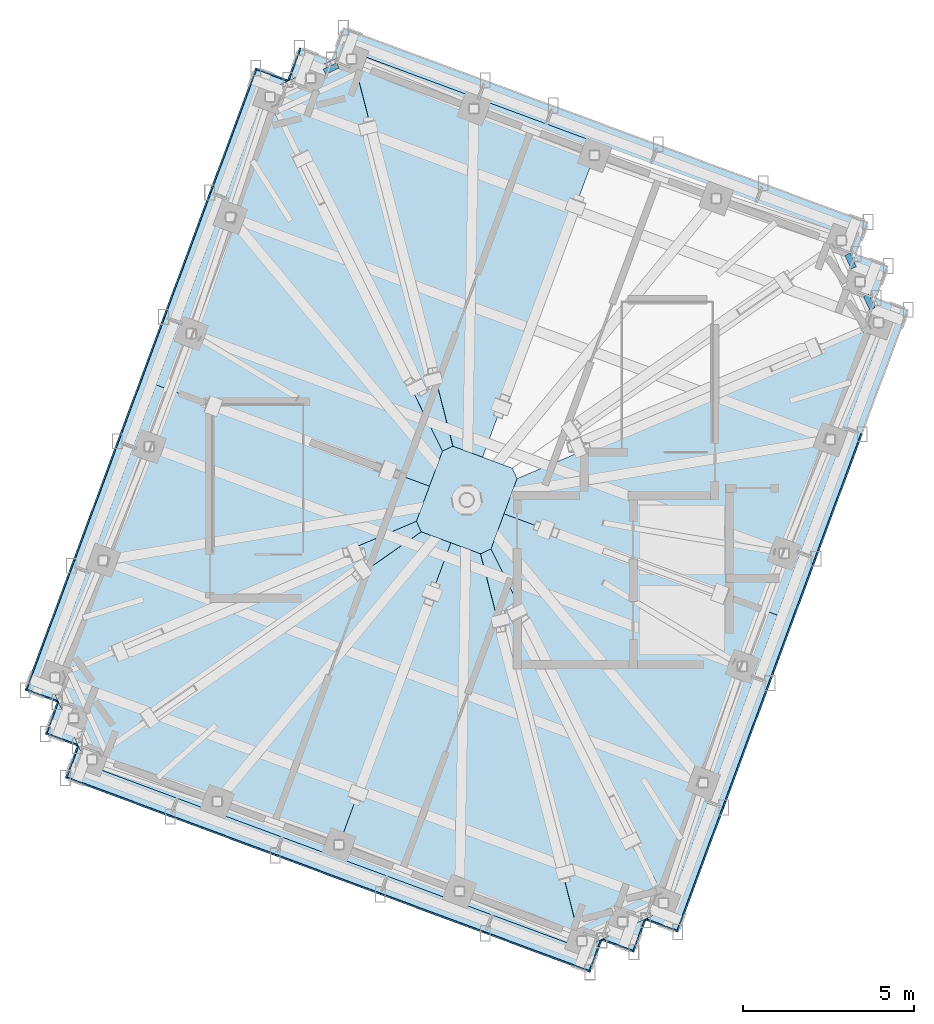
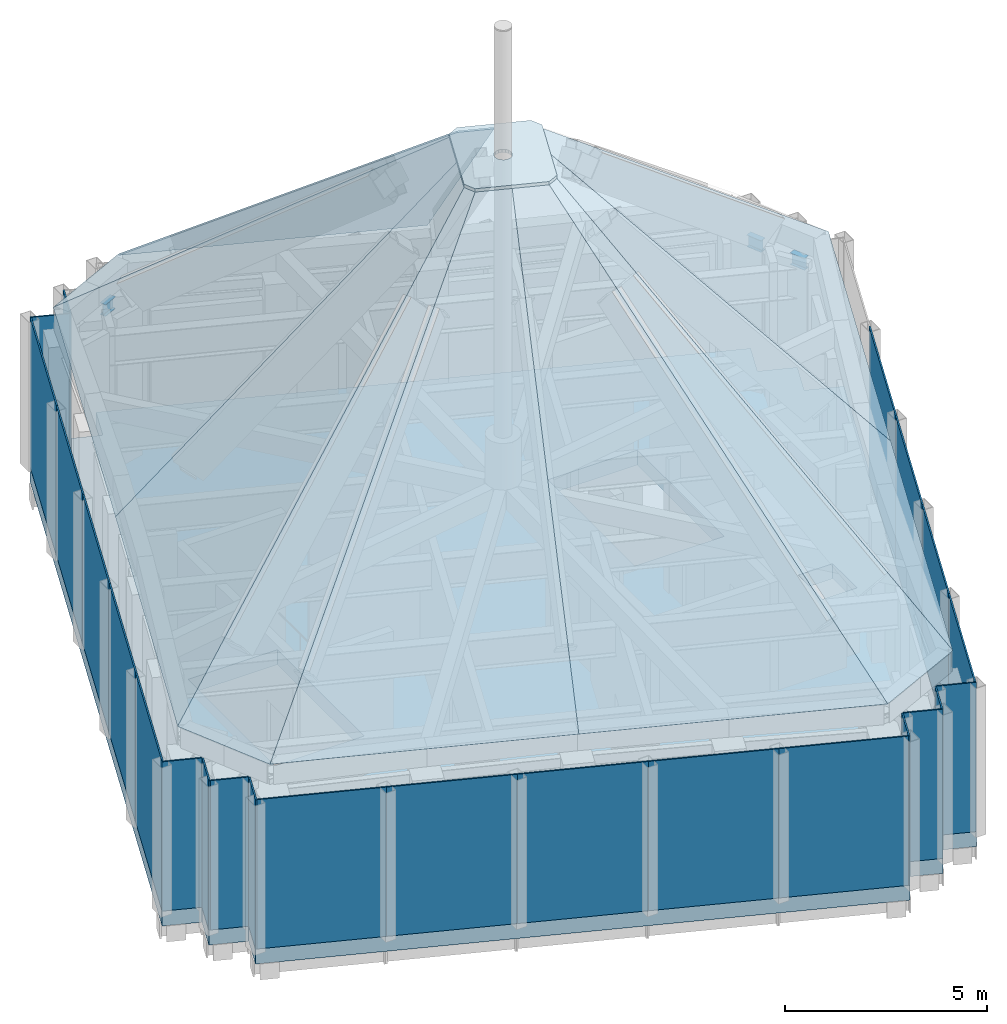
# One storey, part 5 of 14: 35 plates, 3 beams, 1 slab, 34 elements without a shape of their own.
"""IFC4 building model written with IfcOpenShell, lengths in metres."""

from ifc_helpers import new_model, si_unit, direction, frame, origin, origin_2d, place, context, subcontext, project, spatial, polyline, i_section, outline, extrude, material, layer, layer_set, material_profile, profile_set, type_object, element, aggregate, save


model = new_model("IFC4")

# Units and contexts
model_context = context("Model", 3, precision=1e-05, world=origin(), true_north=direction((0.0, 1.0)))
body_context = subcontext(model_context, "Body", "Model", "MODEL_VIEW")
ifc_project = project(units=[si_unit("LENGTHUNIT", "METRE"), si_unit("AREAUNIT", "SQUARE_METRE"), si_unit("VOLUMEUNIT", "CUBIC_METRE"), si_unit("PLANEANGLEUNIT", "RADIAN"), si_unit("MASSUNIT", "GRAM", prefix="KILO")], contexts=[model_context])

# Site, building, storey
site_placement = place(None, origin())
site = spatial("IfcSite", under=ifc_project, at=site_placement, CompositionType="ELEMENT")
building_placement = place(site_placement, origin())
building = spatial("IfcBuilding", under=site, at=building_placement, Name="Cantera Rosa Tower", CompositionType="ELEMENT")
storey_placement = place(building_placement, frame((0.0, 0.0, 374.199951171875)))
storey = spatial("IfcBuildingStorey", under=building, at=storey_placement, Name="L84", CompositionType="ELEMENT", Elevation=374.199951171875)

# Beams
ifc_material_1 = material(Name="Steel ASTM A992 (Fy 345 MPa)", Category="steel")
ifc_material_profile = material_profile(ifc_material_1, i_section(OverallWidth=0.1708984375, OverallDepth=0.35595703125, WebThickness=0.00732421875, FlangeThickness=0.01171875, FilletRadius=0.010009765625, at=origin_2d()), Name="W360X51")
ifc_profile_set = profile_set([ifc_material_profile], Name="Steel ASTM A992 (Fy 345 MPa)")
beam_type = type_object("IfcBeamType", Name="STEEL SPANDREL BEAM W360X51", PredefinedType="SPANDREL", material=ifc_profile_set)
beam_1_placement = place(storey_placement, frame((-3.7734375, 12.7373046875, 4.072021484375), z_axis=(-0.904818702201, -0.42579703633, 0.0), x_axis=(0.42579703633, -0.904818702201, 0.0)))
element("IfcBeam", 1, at=beam_1_placement, inside=storey, type_object=beam_type, Name="RB-Z6-05 L84", PredefinedType="SPANDREL", context=body_context, shape_type="SweptSolid", body=[
    extrude(i_section(OverallWidth=0.1708984375, OverallDepth=0.35595703125, WebThickness=0.00732421875, FlangeThickness=0.01171875, FilletRadius=0.010009765625, at=origin_2d()), origin(), (0.0, 0.0, 1.0), 0.4404296875),
])
beam_2_placement = place(storey_placement, frame((11.888427734375, 5.598876953125, 4.072021484375), z_axis=(-0.415851605701, 0.909432483495, 0.0), x_axis=(-0.909432483495, -0.415851605701, 0.0)))
element("IfcBeam", 2, at=beam_2_placement, inside=storey, type_object=beam_type, Name="RB-Z6-25 L84", PredefinedType="SPANDREL", context=body_context, shape_type="SweptSolid", body=[
    extrude(i_section(OverallWidth=0.1708984375, OverallDepth=0.35595703125, WebThickness=0.00732421875, FlangeThickness=0.01171875, FilletRadius=0.010009765625, at=origin_2d()), origin(), (0.0, 0.0, 1.0), 0.439697265625),
])
beam_3_placement = place(storey_placement, frame((11.3427734375, 6.800537109375, 4.072021484375), z_axis=(-0.409580989432, 0.912273759952, 0.0), x_axis=(-0.912273759952, -0.409580989432, 0.0)))
element("IfcBeam", 3, at=beam_3_placement, inside=storey, type_object=beam_type, Name="RB-Z6-26 L84", PredefinedType="SPANDREL", context=body_context, shape_type="SweptSolid", body=[
    extrude(i_section(OverallWidth=0.1708984375, OverallDepth=0.35595703125, WebThickness=0.00732421875, FlangeThickness=0.01171875, FilletRadius=0.010009765625, at=origin_2d()), origin(), (0.0, 0.0, 1.0), 0.4404296875),
])

# Plate
ifc_material_2 = material(Name="Aluminium frame with clear glass", Category="aluminium")
ifc_layer_1 = layer(ifc_material_2, 0.10009765625)
ifc_layer_set_1 = layer_set([ifc_layer_1], Name="CROWN CAP 100")
plate_type_1 = type_object("IfcPlateType", Name="CROWN CAP 100", PredefinedType="SHEET", material=ifc_layer_set_1)
plate_1_placement = place(storey_placement, frame((0.0, 0.0, 14.800048828125)))
element("IfcPlate", 4, at=plate_1_placement, inside=storey, type_object=plate_type_1, Name="CROWN CAP", PredefinedType="SHEET", context=body_context, shape_type="SweptSolid", body=[
    extrude(outline(polyline([(-1.335693359375, -0.931640625), (-0.46484375, -1.254150390625), (0.406005859375, -1.576904296875), (0.711181640625, -1.434814453125), (1.0927734375, -0.405029296875), (1.474365234375, 0.624755859375), (1.335693359375, 0.931640625), (0.46484375, 1.254150390625), (-0.406005859375, 1.576904296875), (-0.711181640625, 1.434814453125), (-1.0927734375, 0.405029296875), (-1.474365234375, -0.624755859375), (-1.335693359375, -0.931640625)]), holes=[polyline([(0.2294921875, 0.0), (0.2119140625, 0.087890625), (0.162109375, 0.162109375), (0.087890625, 0.2119140625), (0.0, 0.2294921875), (-0.087890625, 0.2119140625), (-0.162109375, 0.162109375), (-0.2119140625, 0.087890625), (-0.2294921875, 0.0), (-0.2119140625, -0.087890625), (-0.162109375, -0.162109375), (-0.087890625, -0.2119140625), (0.0, -0.2294921875), (0.087890625, -0.2119140625), (0.162109375, -0.162109375), (0.2119140625, -0.087890625), (0.2294921875, 0.0)])]), origin(), (0.0, 0.0, 1.0), 0.10009765625),
])

# Curtain wall, plate
ifc_material_3 = material(Name="Aluminium frame with clear glass", Category="aluminium")
curtain_wall_type = type_object("IfcCurtainWallType", Name="CW4 CROWN GLAZING", PredefinedType="NOTDEFINED", material=ifc_material_3)
curtain_wall_1_placement = place(storey_placement, origin())
curtain_wall_1 = element("IfcCurtainWall", 5, at=curtain_wall_1_placement, inside=storey, type_object=curtain_wall_type, Name="CW4 L84-08", PredefinedType="NOTDEFINED")
ifc_material_4 = material(Name="Aluminium frame with clear glass", Category="aluminium")
ifc_layer_2 = layer(ifc_material_4, 0.0400390625)
ifc_layer_set_2 = layer_set([ifc_layer_2], Name="CW-PANEL CROWN 40")
plate_type_2 = type_object("IfcPlateType", Name="CW-PANEL CROWN 40", PredefinedType="CURTAIN_PANEL", material=ifc_layer_set_2)
plate_2_placement = place(storey_placement, frame((-4.89990234375, 13.25341796875, 0.0), z_axis=(-0.937607306781, 0.347696042931, 0.0), x_axis=(-0.347696042931, -0.937607306781, 0.0)))
plate_2 = element("IfcPlate", 6, at=plate_2_placement, type_object=plate_type_2, Name="CROWN GLAZING L84-08", PredefinedType="CURTAIN_PANEL", context=body_context, shape_type="SweptSolid", body=[
    extrude(outline(polyline([(0.0, 0.0), (0.9998855525329199, 0.0), (0.9998855525329199, 4.499999999999999), (0.0, 4.499999999999999), (0.0, 0.0)])), origin(), (0.0, 0.0, -1.0), 0.0400390625),
])
aggregate(curtain_wall_1, [plate_2])

curtain_wall_2_placement = place(storey_placement, origin())
curtain_wall_2 = element("IfcCurtainWall", 7, at=curtain_wall_2_placement, inside=storey, type_object=curtain_wall_type, Name="CW4 L84-09", PredefinedType="NOTDEFINED")
plate_3_placement = place(storey_placement, frame((-5.24755859375, 12.31591796875, 0.0), z_axis=(0.347481365188, 0.937686888491, 0.0), x_axis=(-0.937686888491, 0.347481365188, 0.0)))
plate_3 = element("IfcPlate", 8, at=plate_3_placement, type_object=plate_type_2, Name="CROWN GLAZING L84-09", PredefinedType="CURTAIN_PANEL", context=body_context, shape_type="SweptSolid", body=[
    extrude(outline(polyline([(0.0, 0.0), (0.9998006920083558, 0.0), (0.9998006920083558, 4.500000000000001), (0.0, 4.500000000000001), (0.0, 0.0)])), origin(), (0.0, 0.0, -1.0), 0.0400390625),
])
aggregate(curtain_wall_2, [plate_3])

curtain_wall_3_placement = place(storey_placement, origin())
curtain_wall_3 = element("IfcCurtainWall", 9, at=curtain_wall_3_placement, inside=storey, type_object=curtain_wall_type, Name="CW4 L84-10", PredefinedType="NOTDEFINED")
plate_4_placement = place(storey_placement, frame((-6.18505859375, 12.663330078125, 0.0), z_axis=(-0.937681366167, 0.347496266948, 0.0), x_axis=(-0.347496266948, -0.937681366167, 0.0)))
plate_4 = element("IfcPlate", 10, at=plate_4_placement, type_object=plate_type_2, Name="CROWN GLAZING L84-10", PredefinedType="CURTAIN_PANEL", context=body_context, shape_type="SweptSolid", body=[
    extrude(outline(polyline([(0.0, 0.0), (3.8901328422840216, 0.0), (3.8901328422840216, 4.499999999999999), (0.0, 4.499999999999999), (0.0, 0.0)])), origin(), (0.0, 0.0, -1.0), 0.0400390625),
])
aggregate(curtain_wall_3, [plate_4])

curtain_wall_4_placement = place(storey_placement, origin())
curtain_wall_4 = element("IfcCurtainWall", 11, at=curtain_wall_4_placement, inside=storey, type_object=curtain_wall_type, Name="CW4 L84-11", PredefinedType="NOTDEFINED")
plate_5_placement = place(storey_placement, frame((-7.536865234375, 9.015625, 0.0), z_axis=(-0.937673787126, 0.347516717491, 0.0), x_axis=(-0.347516717491, -0.937673787126, 0.0)))
plate_5 = element("IfcPlate", 12, at=plate_5_placement, type_object=plate_type_2, Name="CROWN GLAZING L84-11", PredefinedType="CURTAIN_PANEL", context=body_context, shape_type="SweptSolid", body=[
    extrude(outline(polyline([(0.0, 0.0), (3.889903917094383, 0.0), (3.889903917094383, 4.5), (0.0, 4.5), (0.0, 0.0)])), origin(), (0.0, 0.0, -1.0), 0.0400390625),
])
aggregate(curtain_wall_4, [plate_5])

curtain_wall_5_placement = place(storey_placement, origin())
curtain_wall_5 = element("IfcCurtainWall", 13, at=curtain_wall_5_placement, inside=storey, type_object=curtain_wall_type, Name="CW4 L84-12", PredefinedType="NOTDEFINED")
plate_6_placement = place(storey_placement, frame((-8.888671875, 5.3681640625, 0.0), z_axis=(-0.937701814412, 0.347441084572, 0.0), x_axis=(-0.347441084572, -0.937701814412, 0.0)))
plate_6 = element("IfcPlate", 14, at=plate_6_placement, type_object=plate_type_2, Name="CROWN GLAZING L84-12", PredefinedType="CURTAIN_PANEL", context=body_context, shape_type="SweptSolid", body=[
    extrude(outline(polyline([(0.0, 0.0), (3.8900480110642803, 0.0), (3.8900480110642803, 4.5), (0.0, 4.5), (0.0, 0.0)])), origin(), (0.0, 0.0, -1.0), 0.0400390625),
])
aggregate(curtain_wall_5, [plate_6])

curtain_wall_6_placement = place(storey_placement, origin())
curtain_wall_6 = element("IfcCurtainWall", 15, at=curtain_wall_6_placement, inside=storey, type_object=curtain_wall_type, Name="CW4 L84-13", PredefinedType="NOTDEFINED")
plate_7_placement = place(storey_placement, frame((-10.240234375, 1.720458984375, 0.0), z_axis=(-0.937673787126, 0.347516717491, 0.0), x_axis=(-0.347516717491, -0.937673787126, 0.0)))
plate_7 = element("IfcPlate", 16, at=plate_7_placement, type_object=plate_type_2, Name="CROWN GLAZING L84-13", PredefinedType="CURTAIN_PANEL", context=body_context, shape_type="SweptSolid", body=[
    extrude(outline(polyline([(0.0, 0.0), (3.889903917094383, 0.0), (3.889903917094383, 4.5), (0.0, 4.5), (0.0, 0.0)])), origin(), (0.0, 0.0, -1.0), 0.0400390625),
])
aggregate(curtain_wall_6, [plate_7])

curtain_wall_7_placement = place(storey_placement, origin())
curtain_wall_7 = element("IfcCurtainWall", 17, at=curtain_wall_7_placement, inside=storey, type_object=curtain_wall_type, Name="CW4 L84-14", PredefinedType="NOTDEFINED")
plate_8_placement = place(storey_placement, frame((-11.592041015625, -1.927001953125, 0.0), z_axis=(-0.937701814412, 0.347441084572, 0.0), x_axis=(-0.347441084572, -0.937701814412, 0.0)))
plate_8 = element("IfcPlate", 18, at=plate_8_placement, type_object=plate_type_2, Name="CROWN GLAZING L84-14", PredefinedType="CURTAIN_PANEL", context=body_context, shape_type="SweptSolid", body=[
    extrude(outline(polyline([(0.0, 0.0), (3.8900480110642803, 0.0), (3.8900480110642803, 4.5), (0.0, 4.5), (0.0, 0.0)])), origin(), (0.0, 0.0, -1.0), 0.0400390625),
])
aggregate(curtain_wall_7, [plate_8])

curtain_wall_8_placement = place(storey_placement, origin())
curtain_wall_8 = element("IfcCurtainWall", 19, at=curtain_wall_8_placement, inside=storey, type_object=curtain_wall_type, Name="CW4 L84-15", PredefinedType="NOTDEFINED")
plate_9_placement = place(storey_placement, frame((-12.943603515625, -5.57470703125, 0.0), z_axis=(-0.347401818267, -0.937716362588, 0.0), x_axis=(0.937716362588, -0.347401818267, 0.0)))
plate_9 = element("IfcPlate", 20, at=plate_9_placement, type_object=plate_type_2, Name="CROWN GLAZING L84-15", PredefinedType="CURTAIN_PANEL", context=body_context, shape_type="SweptSolid", body=[
    extrude(outline(polyline([(0.0, 0.0), (1.0000296230696903, 0.0), (1.0000296230696903, 4.5), (0.0, 4.5), (0.0, 0.0)])), origin(), (0.0, 0.0, -1.0), 0.0400390625),
])
aggregate(curtain_wall_8, [plate_9])

curtain_wall_9_placement = place(storey_placement, origin())
curtain_wall_9 = element("IfcCurtainWall", 21, at=curtain_wall_9_placement, inside=storey, type_object=curtain_wall_type, Name="CW4 L84-16", PredefinedType="NOTDEFINED")
plate_10_placement = place(storey_placement, frame((-12.005859375, -5.922119140625, 0.0), z_axis=(-0.937636814806, 0.347616460371, 0.0), x_axis=(-0.347616460371, -0.937636814806, 0.0)))
plate_10 = element("IfcPlate", 22, at=plate_10_placement, type_object=plate_type_2, Name="CROWN GLAZING L84-16", PredefinedType="CURTAIN_PANEL", context=body_context, shape_type="SweptSolid", body=[
    extrude(outline(polyline([(0.0, 0.0), (1.000114464169268, 0.0), (1.000114464169268, 4.5), (0.0, 4.5), (0.0, 0.0)])), origin(), (0.0, 0.0, -1.0), 0.0400390625),
])
aggregate(curtain_wall_9, [plate_10])

curtain_wall_10_placement = place(storey_placement, origin())
curtain_wall_10 = element("IfcCurtainWall", 23, at=curtain_wall_10_placement, inside=storey, type_object=curtain_wall_type, Name="CW4 L84-17", PredefinedType="NOTDEFINED")
plate_11_placement = place(storey_placement, frame((-12.353515625, -6.85986328125, 0.0), z_axis=(-0.347401818267, -0.937716362588, 0.0), x_axis=(0.937716362588, -0.347401818267, 0.0)))
plate_11 = element("IfcPlate", 24, at=plate_11_placement, type_object=plate_type_2, Name="CROWN GLAZING L84-17", PredefinedType="CURTAIN_PANEL", context=body_context, shape_type="SweptSolid", body=[
    extrude(outline(polyline([(0.0, 0.0), (1.0000296230696903, 0.0), (1.0000296230696903, 4.5), (0.0, 4.5), (0.0, 0.0)])), origin(), (0.0, 0.0, -1.0), 0.0400390625),
])
aggregate(curtain_wall_10, [plate_11])

curtain_wall_11_placement = place(storey_placement, origin())
curtain_wall_11 = element("IfcCurtainWall", 25, at=curtain_wall_11_placement, inside=storey, type_object=curtain_wall_type, Name="CW4 L84-18", PredefinedType="NOTDEFINED")
plate_12_placement = place(storey_placement, frame((-11.415771484375, -7.207275390625, 0.0), z_axis=(-0.937716362588, 0.347401818267, 0.0), x_axis=(-0.347401818267, -0.937716362588, 0.0)))
plate_12 = element("IfcPlate", 26, at=plate_12_placement, type_object=plate_type_2, Name="CROWN GLAZING L84-18", PredefinedType="CURTAIN_PANEL", context=body_context, shape_type="SweptSolid", body=[
    extrude(outline(polyline([(0.0, 0.0), (1.0000296230696903, 0.0), (1.0000296230696903, 4.5), (0.0, 4.5), (0.0, 0.0)])), origin(), (0.0, 0.0, -1.0), 0.0400390625),
])
aggregate(curtain_wall_11, [plate_12])

curtain_wall_12_placement = place(storey_placement, origin())
curtain_wall_12 = element("IfcCurtainWall", 27, at=curtain_wall_12_placement, inside=storey, type_object=curtain_wall_type, Name="CW4 L84-19", PredefinedType="NOTDEFINED")
plate_13_placement = place(storey_placement, frame((-11.76318359375, -8.14501953125, 0.0), z_axis=(-0.347474360016, -0.937689484388, 0.0), x_axis=(0.937689484388, -0.347474360016, 0.0)))
plate_13 = element("IfcPlate", 28, at=plate_13_placement, type_object=plate_type_2, Name="CROWN GLAZING L84-19", PredefinedType="CURTAIN_PANEL", context=body_context, shape_type="SweptSolid", body=[
    extrude(outline(polyline([(0.0, 0.0), (3.2798058465302473, 0.0), (3.2798058465302473, 4.5), (0.0, 4.5), (0.0, 0.0)])), origin(), (0.0, 0.0, -1.0), 0.0400390625),
])
aggregate(curtain_wall_12, [plate_13])

curtain_wall_13_placement = place(storey_placement, origin())
curtain_wall_13 = element("IfcCurtainWall", 29, at=curtain_wall_13_placement, inside=storey, type_object=curtain_wall_type, Name="CW4 L84-20", PredefinedType="NOTDEFINED")
plate_14_placement = place(storey_placement, frame((-8.687744140625, -9.28466796875, 0.0), z_axis=(-0.347515552333, -0.937674218952, 0.0), x_axis=(0.937674218952, -0.347515552333, 0.0)))
plate_14 = element("IfcPlate", 30, at=plate_14_placement, type_object=plate_type_2, Name="CROWN GLAZING L84-20", PredefinedType="CURTAIN_PANEL", context=body_context, shape_type="SweptSolid", body=[
    extrude(outline(polyline([(0.0, 0.0), (3.280119610399501, 0.0), (3.280119610399501, 4.5), (0.0, 4.5), (0.0, 0.0)])), origin(), (0.0, 0.0, -1.0), 0.0400390625),
])
aggregate(curtain_wall_13, [plate_14])

curtain_wall_14_placement = place(storey_placement, origin())
curtain_wall_14 = element("IfcCurtainWall", 31, at=curtain_wall_14_placement, inside=storey, type_object=curtain_wall_type, Name="CW4 L84-21", PredefinedType="NOTDEFINED")
plate_15_placement = place(storey_placement, frame((-5.612060546875, -10.424560546875, 0.0), z_axis=(-0.347450108131, -0.937698470917, 0.0), x_axis=(0.937698470917, -0.347450108131, 0.0)))
plate_15 = element("IfcPlate", 32, at=plate_15_placement, type_object=plate_type_2, Name="CROWN GLAZING L84-21", PredefinedType="CURTAIN_PANEL", context=body_context, shape_type="SweptSolid", body=[
    extrude(outline(polyline([(0.0, 0.0), (3.2800347757240482, 0.0), (3.2800347757240482, 4.5), (0.0, 4.5), (0.0, 0.0)])), origin(), (0.0, 0.0, -1.0), 0.0400390625),
])
aggregate(curtain_wall_14, [plate_15])

curtain_wall_15_placement = place(storey_placement, origin())
curtain_wall_15 = element("IfcCurtainWall", 33, at=curtain_wall_15_placement, inside=storey, type_object=curtain_wall_type, Name="CW4 L84-22", PredefinedType="NOTDEFINED")
plate_16_placement = place(storey_placement, frame((-2.536376953125, -11.564208984375, 0.0), z_axis=(-0.347515552333, -0.937674218952, 0.0), x_axis=(0.937674218952, -0.347515552333, 0.0)))
plate_16 = element("IfcPlate", 34, at=plate_16_placement, type_object=plate_type_2, Name="CROWN GLAZING L84-22", PredefinedType="CURTAIN_PANEL", context=body_context, shape_type="SweptSolid", body=[
    extrude(outline(polyline([(0.0, 0.0), (3.280119610399501, 0.0), (3.280119610399501, 4.5), (0.0, 4.5), (0.0, 0.0)])), origin(), (0.0, 0.0, -1.0), 0.0400390625),
])
aggregate(curtain_wall_15, [plate_16])

curtain_wall_16_placement = place(storey_placement, origin())
curtain_wall_16 = element("IfcCurtainWall", 35, at=curtain_wall_16_placement, inside=storey, type_object=curtain_wall_type, Name="CW4 L84-23", PredefinedType="NOTDEFINED")
plate_17_placement = place(storey_placement, frame((0.539306640625, -12.7041015625, 0.0), z_axis=(-0.347474360016, -0.937689484388, 0.0), x_axis=(0.937689484388, -0.347474360016, 0.0)))
plate_17 = element("IfcPlate", 36, at=plate_17_placement, type_object=plate_type_2, Name="CROWN GLAZING L84-23", PredefinedType="CURTAIN_PANEL", context=body_context, shape_type="SweptSolid", body=[
    extrude(outline(polyline([(0.0, 0.0), (3.2798058465302473, 0.0), (3.2798058465302473, 4.5), (0.0, 4.5), (0.0, 0.0)])), origin(), (0.0, 0.0, -1.0), 0.0400390625),
])
aggregate(curtain_wall_16, [plate_17])

curtain_wall_17_placement = place(storey_placement, origin())
curtain_wall_17 = element("IfcCurtainWall", 37, at=curtain_wall_17_placement, inside=storey, type_object=curtain_wall_type, Name="CW4 L84-24", PredefinedType="NOTDEFINED")
plate_18_placement = place(storey_placement, frame((3.61474609375, -13.84375, 0.0), z_axis=(0.937636814806, -0.347616460371, 0.0), x_axis=(0.347616460371, 0.937636814806, 0.0)))
plate_18 = element("IfcPlate", 38, at=plate_18_placement, type_object=plate_type_2, Name="CROWN GLAZING L84-24", PredefinedType="CURTAIN_PANEL", context=body_context, shape_type="SweptSolid", body=[
    extrude(outline(polyline([(0.0, 0.0), (1.000114464169268, 0.0), (1.000114464169268, 4.5), (0.0, 4.5), (0.0, 0.0)])), origin(), (0.0, 0.0, -1.0), 0.0400390625),
])
aggregate(curtain_wall_17, [plate_18])

curtain_wall_18_placement = place(storey_placement, origin())
curtain_wall_18 = element("IfcCurtainWall", 39, at=curtain_wall_18_placement, inside=storey, type_object=curtain_wall_type, Name="CW4 L84-25", PredefinedType="NOTDEFINED")
plate_19_placement = place(storey_placement, frame((3.96240234375, -12.906005859375, 0.0), z_axis=(-0.347481365188, -0.937686888491, 0.0), x_axis=(0.937686888491, -0.347481365188, 0.0)))
plate_19 = element("IfcPlate", 40, at=plate_19_placement, type_object=plate_type_2, Name="CROWN GLAZING L84-25", PredefinedType="CURTAIN_PANEL", context=body_context, shape_type="SweptSolid", body=[
    extrude(outline(polyline([(0.0, 0.0), (0.9998006920083558, 0.0), (0.9998006920083558, 4.500000000000001), (0.0, 4.500000000000001), (0.0, 0.0)])), origin(), (0.0, 0.0, -1.0), 0.0400390625),
])
aggregate(curtain_wall_18, [plate_19])

curtain_wall_19_placement = place(storey_placement, origin())
curtain_wall_19 = element("IfcCurtainWall", 41, at=curtain_wall_19_placement, inside=storey, type_object=curtain_wall_type, Name="CW4 L84-26", PredefinedType="NOTDEFINED")
plate_20_placement = place(storey_placement, frame((4.89990234375, -13.25341796875, 0.0), z_axis=(0.937607306781, -0.347696042931, 0.0), x_axis=(0.347696042931, 0.937607306781, 0.0)))
plate_20 = element("IfcPlate", 42, at=plate_20_placement, type_object=plate_type_2, Name="CROWN GLAZING L84-26", PredefinedType="CURTAIN_PANEL", context=body_context, shape_type="SweptSolid", body=[
    extrude(outline(polyline([(0.0, 0.0), (0.9998855525329199, 0.0), (0.9998855525329199, 4.499999999999999), (0.0, 4.499999999999999), (0.0, 0.0)])), origin(), (0.0, 0.0, -1.0), 0.0400390625),
])
aggregate(curtain_wall_19, [plate_20])

curtain_wall_20_placement = place(storey_placement, origin())
curtain_wall_20 = element("IfcCurtainWall", 43, at=curtain_wall_20_placement, inside=storey, type_object=curtain_wall_type, Name="CW4 L84-27", PredefinedType="NOTDEFINED")
plate_21_placement = place(storey_placement, frame((5.24755859375, -12.31591796875, 0.0), z_axis=(-0.347481365188, -0.937686888491, 0.0), x_axis=(0.937686888491, -0.347481365188, 0.0)))
plate_21 = element("IfcPlate", 44, at=plate_21_placement, type_object=plate_type_2, Name="CROWN GLAZING L84-27", PredefinedType="CURTAIN_PANEL", context=body_context, shape_type="SweptSolid", body=[
    extrude(outline(polyline([(0.0, 0.0), (0.9998006920083558, 0.0), (0.9998006920083558, 4.500000000000001), (0.0, 4.500000000000001), (0.0, 0.0)])), origin(), (0.0, 0.0, -1.0), 0.0400390625),
])
aggregate(curtain_wall_20, [plate_21])

curtain_wall_21_placement = place(storey_placement, origin())
curtain_wall_21 = element("IfcCurtainWall", 45, at=curtain_wall_21_placement, inside=storey, type_object=curtain_wall_type, Name="CW4 L84-28", PredefinedType="NOTDEFINED")
plate_22_placement = place(storey_placement, frame((6.18505859375, -12.663330078125, 0.0), z_axis=(0.937681366167, -0.347496266948, 0.0), x_axis=(0.347496266948, 0.937681366167, 0.0)))
plate_22 = element("IfcPlate", 46, at=plate_22_placement, type_object=plate_type_2, Name="CROWN GLAZING L84-28", PredefinedType="CURTAIN_PANEL", context=body_context, shape_type="SweptSolid", body=[
    extrude(outline(polyline([(0.0, 0.0), (3.8901328422840216, 0.0), (3.8901328422840216, 4.499999999999999), (0.0, 4.499999999999999), (0.0, 0.0)])), origin(), (0.0, 0.0, -1.0), 0.0400390625),
])
aggregate(curtain_wall_21, [plate_22])

curtain_wall_22_placement = place(storey_placement, origin())
curtain_wall_22 = element("IfcCurtainWall", 47, at=curtain_wall_22_placement, inside=storey, type_object=curtain_wall_type, Name="CW4 L84-29", PredefinedType="NOTDEFINED")
plate_23_placement = place(storey_placement, frame((7.536865234375, -9.015625, 0.0), z_axis=(0.937673787126, -0.347516717491, 0.0), x_axis=(0.347516717491, 0.937673787126, 0.0)))
plate_23 = element("IfcPlate", 48, at=plate_23_placement, type_object=plate_type_2, Name="CROWN GLAZING L84-29", PredefinedType="CURTAIN_PANEL", context=body_context, shape_type="SweptSolid", body=[
    extrude(outline(polyline([(0.0, 0.0), (3.889903917094383, 0.0), (3.889903917094383, 4.5), (0.0, 4.5), (0.0, 0.0)])), origin(), (0.0, 0.0, -1.0), 0.0400390625),
])
aggregate(curtain_wall_22, [plate_23])

curtain_wall_23_placement = place(storey_placement, origin())
curtain_wall_23 = element("IfcCurtainWall", 49, at=curtain_wall_23_placement, inside=storey, type_object=curtain_wall_type, Name="CW4 L84-30", PredefinedType="NOTDEFINED")
plate_24_placement = place(storey_placement, frame((8.888671875, -5.3681640625, 0.0), z_axis=(0.937701814412, -0.347441084572, 0.0), x_axis=(0.347441084572, 0.937701814412, 0.0)))
plate_24 = element("IfcPlate", 50, at=plate_24_placement, type_object=plate_type_2, Name="CROWN GLAZING L84-30", PredefinedType="CURTAIN_PANEL", context=body_context, shape_type="SweptSolid", body=[
    extrude(outline(polyline([(0.0, 0.0), (3.8900480110642803, 0.0), (3.8900480110642803, 4.5), (0.0, 4.5), (0.0, 0.0)])), origin(), (0.0, 0.0, -1.0), 0.0400390625),
])
aggregate(curtain_wall_23, [plate_24])

curtain_wall_24_placement = place(storey_placement, origin())
curtain_wall_24 = element("IfcCurtainWall", 51, at=curtain_wall_24_placement, inside=storey, type_object=curtain_wall_type, Name="CW4 L84-31", PredefinedType="NOTDEFINED")
plate_25_placement = place(storey_placement, frame((10.240234375, -1.720458984375, 0.0), z_axis=(0.937673787126, -0.347516717491, 0.0), x_axis=(0.347516717491, 0.937673787126, 0.0)))
plate_25 = element("IfcPlate", 52, at=plate_25_placement, type_object=plate_type_2, Name="CROWN GLAZING L84-31", PredefinedType="CURTAIN_PANEL", context=body_context, shape_type="SweptSolid", body=[
    extrude(outline(polyline([(0.0, 0.0), (3.889903917094383, 0.0), (3.889903917094383, 4.5), (0.0, 4.5), (0.0, 0.0)])), origin(), (0.0, 0.0, -1.0), 0.0400390625),
])
aggregate(curtain_wall_24, [plate_25])

curtain_wall_25_placement = place(storey_placement, origin())
curtain_wall_25 = element("IfcCurtainWall", 53, at=curtain_wall_25_placement, inside=storey, type_object=curtain_wall_type, Name="CW4 L84-01", PredefinedType="NOTDEFINED")
plate_26_placement = place(storey_placement, frame((-11.1298828125, -7.7626953125, 5.1201171875), z_axis=(-0.244069849154, -0.658648287803, 0.71176705579), x_axis=(0.937686173016, -0.347483295709, -1.1738331e-05)))
plate_26 = element("IfcPlate", 54, at=plate_26_placement, type_object=plate_type_2, Name="CROWN GLAZING L84-01", PredefinedType="CURTAIN_PANEL", context=body_context, shape_type="SweptSolid", body=[
    extrude(outline(polyline([(0.0, 0.0), (7.7388609918920155, 4.440892098500626e-16), (7.738735397614706, 13.781047355611033), (6.810085003869657, 13.780902509570062), (0.0, 0.0)])), origin(), (0.0, 0.0, -1.0), 0.0400390625),
])
aggregate(curtain_wall_25, [plate_26])

curtain_wall_26_placement = place(storey_placement, origin())
curtain_wall_26 = element("IfcCurtainWall", 55, at=curtain_wall_26_placement, inside=storey, type_object=curtain_wall_type, Name="CW4 L84-02", PredefinedType="NOTDEFINED")
plate_27_placement = place(storey_placement, frame((-3.873291015625, -10.451904296875, 5.1201171875), z_axis=(-0.244078908854, -0.658639130636, 0.711772422792), x_axis=(0.937685252734, -0.347485779279, 2.053695e-06)))
plate_27 = element("IfcPlate", 56, at=plate_27_placement, type_object=plate_type_2, Name="CROWN GLAZING L84-02", PredefinedType="CURTAIN_PANEL", context=body_context, shape_type="SweptSolid", body=[
    extrude(outline(polyline([(0.0, 0.0), (7.7390899196828125, -2.220446049250313e-16), (0.928717160285676, 13.781022013905528), (-1.8068402965868017e-05, 13.781047356744395), (0.0, 0.0)])), origin(), (0.0, 0.0, -1.0), 0.0400390625),
])
aggregate(curtain_wall_26, [plate_27])

curtain_wall_27_placement = place(storey_placement, origin())
curtain_wall_27 = element("IfcCurtainWall", 57, at=curtain_wall_27_placement, inside=storey, type_object=curtain_wall_type, Name="CW4 L84-03", PredefinedType="NOTDEFINED")
plate_28_placement = place(storey_placement, frame((3.383544921875, -13.14111328125, 5.1201171875), z_axis=(0.268597114899, -0.576680723783, 0.771553583807), x_axis=(0.906492399182, 0.422222133672, 7.935346e-06)))
plate_28 = element("IfcPlate", 58, at=plate_28_placement, type_object=plate_type_2, Name="CROWN GLAZING L84-03", PredefinedType="CURTAIN_PANEL", context=body_context, shape_type="SweptSolid", body=[
    extrude(outline(polyline([(0.0, 0.0), (2.806100664498552, 2.220446049250313e-16), (2.5202582799128423, 15.216055090924119), (2.1836252767940834, 15.216094292554146), (0.0, 0.0)])), origin(), (0.0, 0.0, -1.0), 0.0400390625),
])
aggregate(curtain_wall_27, [plate_28])

curtain_wall_28_placement = place(storey_placement, origin())
curtain_wall_28 = element("IfcCurtainWall", 59, at=curtain_wall_28_placement, inside=storey, type_object=curtain_wall_type, Name="CW4 L84-04", PredefinedType="NOTDEFINED")
plate_29_placement = place(storey_placement, frame((5.92724609375, -11.956298828125, 5.1201171875), z_axis=(0.702903042901, -0.26047068839, 0.661877883578), x_axis=(0.347474568496, 0.937689407132, -4.92772e-07)))
plate_29 = element("IfcPlate", 60, at=plate_29_placement, type_object=plate_type_2, Name="CROWN GLAZING L84-04", PredefinedType="CURTAIN_PANEL", context=body_context, shape_type="SweptSolid", body=[
    extrude(outline(polyline([(0.0, 0.0), (9.151538385243274, 2.220446049250313e-16), (9.151642008252312, 12.9132675480522), (8.053429930653769, 12.913260810178812), (0.0, 0.0)])), origin(), (0.0, 0.0, -1.0), 0.0400390625),
])
aggregate(curtain_wall_28, [plate_29])

curtain_wall_29_placement = place(storey_placement, origin())
curtain_wall_29 = element("IfcCurtainWall", 61, at=curtain_wall_29_placement, inside=storey, type_object=curtain_wall_type, Name="CW4 L84-05", PredefinedType="NOTDEFINED")
plate_30_placement = place(storey_placement, frame((9.107177734375, -3.375, 5.1201171875), z_axis=(0.702898169963, -0.260480120951, 0.661879346446), x_axis=(0.347488443472, 0.937684265439, -1.329736e-06)))
plate_30 = element("IfcPlate", 62, at=plate_30_placement, type_object=plate_type_2, Name="CROWN GLAZING L84-05", PredefinedType="CURTAIN_PANEL", context=body_context, shape_type="SweptSolid", body=[
    extrude(outline(polyline([(0.0, 0.0), (9.151852147178381, 4.440892098500626e-16), (1.0981811282334284, 12.913285731041725), (-3.0949102485098625e-05, 12.913267548419583), (0.0, 0.0)])), origin(), (0.0, 0.0, -1.0), 0.0400390625),
])
aggregate(curtain_wall_29, [plate_30])

curtain_wall_30_placement = place(storey_placement, origin())
curtain_wall_30 = element("IfcCurtainWall", 63, at=curtain_wall_30_placement, inside=storey, type_object=curtain_wall_type, Name="CW4 L84-08", PredefinedType="NOTDEFINED")
plate_31_placement = place(storey_placement, frame((3.873291015625, 10.451904296875, 5.1201171875), z_axis=(0.244078908854, 0.658639130636, 0.711772422792), x_axis=(-0.937685252734, 0.347485779279, 2.053695e-06)))
plate_31 = element("IfcPlate", 64, at=plate_31_placement, type_object=plate_type_2, Name="CROWN GLAZING L84-08", PredefinedType="CURTAIN_PANEL", context=body_context, shape_type="SweptSolid", body=[
    extrude(outline(polyline([(0.0, 0.0), (7.7390899196828125, -2.220446049250313e-16), (0.928717160285676, 13.781022013905528), (-1.8068402965868017e-05, 13.781047356744395), (0.0, 0.0)])), origin(), (0.0, 0.0, -1.0), 0.0400390625),
])
aggregate(curtain_wall_30, [plate_31])

curtain_wall_31_placement = place(storey_placement, origin())
curtain_wall_31 = element("IfcCurtainWall", 65, at=curtain_wall_31_placement, inside=storey, type_object=curtain_wall_type, Name="CW4 L84-09", PredefinedType="NOTDEFINED")
plate_32_placement = place(storey_placement, frame((-3.383544921875, 13.14111328125, 5.1201171875), z_axis=(-0.268597114899, 0.576680723783, 0.771553583807), x_axis=(-0.906492399182, -0.422222133672, 7.935346e-06)))
plate_32 = element("IfcPlate", 66, at=plate_32_placement, type_object=plate_type_2, Name="CROWN GLAZING L84-09", PredefinedType="CURTAIN_PANEL", context=body_context, shape_type="SweptSolid", body=[
    extrude(outline(polyline([(0.0, 0.0), (2.806100664498552, 2.220446049250313e-16), (2.5202582799128423, 15.216055090924119), (2.1836252767940834, 15.216094292554146), (0.0, 0.0)])), origin(), (0.0, 0.0, -1.0), 0.0400390625),
])
aggregate(curtain_wall_31, [plate_32])

curtain_wall_32_placement = place(storey_placement, origin())
curtain_wall_32 = element("IfcCurtainWall", 67, at=curtain_wall_32_placement, inside=storey, type_object=curtain_wall_type, Name="CW4 L84-10", PredefinedType="NOTDEFINED")
plate_33_placement = place(storey_placement, frame((-5.92724609375, 11.956298828125, 5.1201171875), z_axis=(-0.702903042901, 0.26047068839, 0.661877883578), x_axis=(-0.347474568496, -0.937689407132, -4.92772e-07)))
plate_33 = element("IfcPlate", 68, at=plate_33_placement, type_object=plate_type_2, Name="CROWN GLAZING L84-10", PredefinedType="CURTAIN_PANEL", context=body_context, shape_type="SweptSolid", body=[
    extrude(outline(polyline([(0.0, 0.0), (9.151538385243274, 2.220446049250313e-16), (9.151642008252312, 12.9132675480522), (8.053429930653769, 12.913260810178812), (0.0, 0.0)])), origin(), (0.0, 0.0, -1.0), 0.0400390625),
])
aggregate(curtain_wall_32, [plate_33])

curtain_wall_33_placement = place(storey_placement, origin())
curtain_wall_33 = element("IfcCurtainWall", 69, at=curtain_wall_33_placement, inside=storey, type_object=curtain_wall_type, Name="CW4 L84-11", PredefinedType="NOTDEFINED")
plate_34_placement = place(storey_placement, frame((-9.107177734375, 3.375, 5.1201171875), z_axis=(-0.702898169963, 0.260480120951, 0.661879346446), x_axis=(-0.347488443472, -0.937684265439, -1.329736e-06)))
plate_34 = element("IfcPlate", 70, at=plate_34_placement, type_object=plate_type_2, Name="CROWN GLAZING L84-11", PredefinedType="CURTAIN_PANEL", context=body_context, shape_type="SweptSolid", body=[
    extrude(outline(polyline([(0.0, 0.0), (9.151852147178381, 4.440892098500626e-16), (1.0981811282334284, 12.913285731041725), (-3.0949102485098625e-05, 12.913267548419583), (0.0, 0.0)])), origin(), (0.0, 0.0, -1.0), 0.0400390625),
])
aggregate(curtain_wall_33, [plate_34])

curtain_wall_34_placement = place(storey_placement, origin())
curtain_wall_34 = element("IfcCurtainWall", 71, at=curtain_wall_34_placement, inside=storey, type_object=curtain_wall_type, Name="CW4 L84-12", PredefinedType="NOTDEFINED")
plate_35_placement = place(storey_placement, frame((-12.287353515625, -5.20654296875, 5.1201171875), z_axis=(-0.579543700689, -0.26236867971, 0.771551537422), x_axis=(0.412466925939, -0.910972575489, 4.1392942e-05)))
plate_35 = element("IfcPlate", 72, at=plate_35_placement, type_object=plate_type_2, Name="CROWN GLAZING L84-12", PredefinedType="CURTAIN_PANEL", context=body_context, shape_type="SweptSolid", body=[
    extrude(outline(polyline([(0.0, 0.0), (2.8060030667105944, -1.1102230246251565e-16), (0.6232794813770549, 15.215986641748223), (0.2865183140618642, 15.216191129395781), (0.0, 0.0)])), origin(), (0.0, 0.0, -1.0), 0.0400390625),
])
aggregate(curtain_wall_34, [plate_35])

# Slab
ifc_material_5 = material(Name="Concrete C50/60", Category="concrete")
ifc_layer_3 = layer(ifc_material_5, 0.449951171875)
ifc_layer_set_3 = layer_set([ifc_layer_3], Name="RC CROWN PLATE 450 C50/60")
slab_type = type_object("IfcSlabType", Name="RC CROWN PLATE 450 C50/60", PredefinedType="FLOOR", material=ifc_layer_set_3)
slab_placement = place(storey_placement, frame((0.0, 0.0, -0.449951171875)))
element("IfcSlab", 73, at=slab_placement, inside=storey, type_object=slab_type, Name="SLAB L84 floor 1", PredefinedType="FLOOR", context=body_context, shape_type="SweptSolid", body=[
    extrude(outline(polyline([(12.353515625, 6.85986328125), (12.006103515625, 5.922119140625), (12.943603515625, 5.57470703125), (6.185302734375, -12.663330078125), (5.24755859375, -12.31591796875), (4.89990234375, -13.25341796875), (3.96240234375, -12.906005859375), (3.61474609375, -13.84375), (-11.76318359375, -8.14501953125), (-11.415771484375, -7.207275390625), (-12.353515625, -6.85986328125), (-12.006103515625, -5.922119140625), (-12.943603515625, -5.57470703125), (-6.185302734375, 12.663330078125), (-5.24755859375, 12.31591796875), (-4.89990234375, 13.25341796875), (-3.96240234375, 12.906005859375), (-3.61474609375, 13.84375), (11.76318359375, 8.14501953125), (11.415771484375, 7.207275390625), (12.353515625, 6.85986328125)]), holes=[polyline([(8.8798828125, -0.89990234375), (7.89990234375, -0.89990234375), (7.89990234375, -2.10009765625), (8.8798828125, -2.10009765625), (8.8798828125, -0.89990234375)]), polyline([(-7.39990234375, 2.75), (-7.39990234375, -1.5380859375), (-4.85009765625, -1.5380859375), (-4.85009765625, 2.75), (-7.39990234375, 2.75)]), polyline([(4.60009765625, 5.75), (4.60009765625, 1.4619140625), (7.14990234375, 1.4619140625), (7.14990234375, 5.75), (4.60009765625, 5.75)])]), origin(), (0.0, 0.0, 1.0), 0.449951171875),
])

save(model, "model.ifc")
